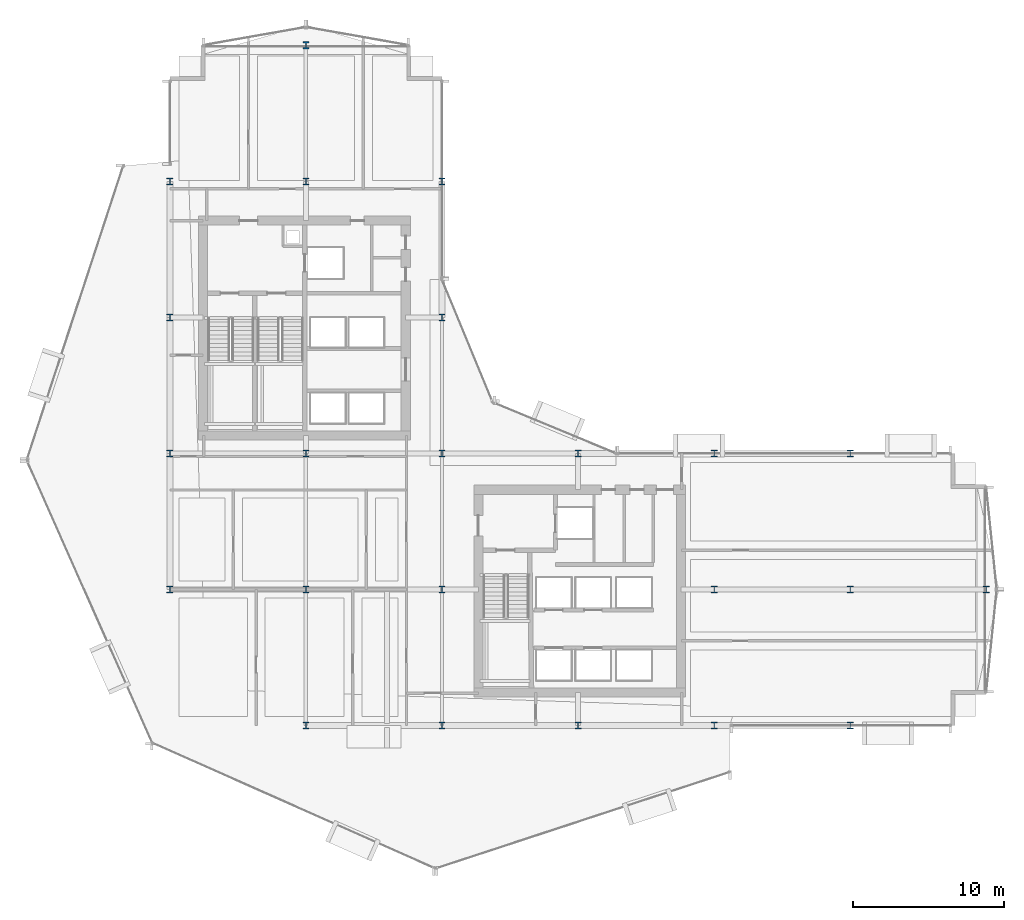
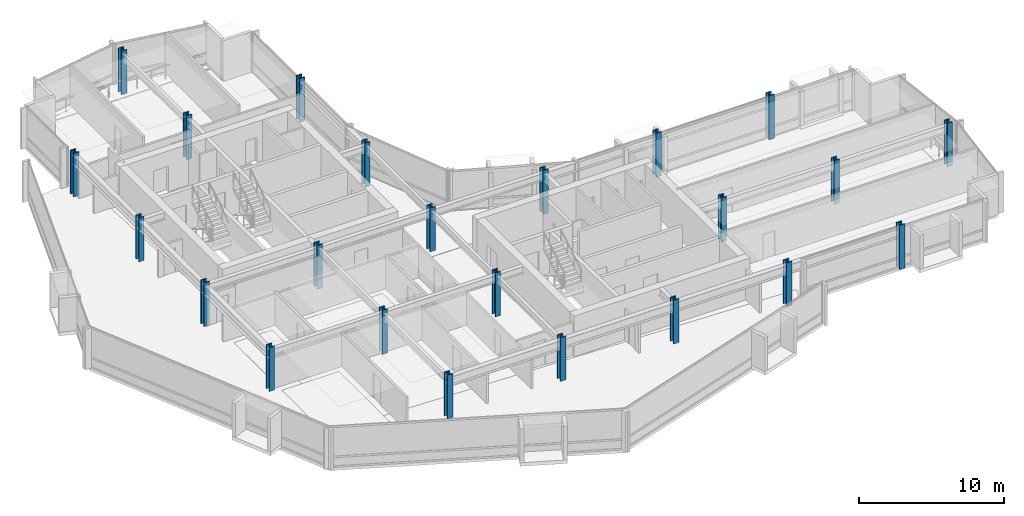
# One storey, part 1 of 34: 23 columns.
"""IFC4 building model written with IfcOpenShell, lengths in metres."""

from ifc_helpers import new_model, si_unit, direction, frame, origin, origin_2d, place, context, subcontext, project, spatial, i_section, extrude, material, material_profile, profile_set, type_object, element, save


model = new_model("IFC4")

# Units and contexts
model_context = context("Model", 3, precision=1e-05, world=origin(), true_north=direction((0.0, 1.0)))
body_context = subcontext(model_context, "Body", "Model", "MODEL_VIEW")
ifc_project = project(units=[si_unit("LENGTHUNIT", "METRE"), si_unit("AREAUNIT", "SQUARE_METRE"), si_unit("VOLUMEUNIT", "CUBIC_METRE"), si_unit("PLANEANGLEUNIT", "RADIAN"), si_unit("MASSUNIT", "GRAM", prefix="KILO")], contexts=[model_context])

# Site, building, storey
site_placement = place(None, origin())
site = spatial("IfcSite", under=ifc_project, at=site_placement, CompositionType="ELEMENT")
building_placement = place(site_placement, origin())
building = spatial("IfcBuilding", under=site, at=building_placement, Name="Solvaryn Broadcast Tower", CompositionType="ELEMENT")
storey_placement = place(building_placement, frame((0.0, 0.0, 76.699951171875)))
storey = spatial("IfcBuildingStorey", under=building, at=storey_placement, Name="L18", CompositionType="ELEMENT", Elevation=76.699951171875)

# Columns
ifc_material_1 = material(Name="Steel ASTM A913 Grade 65", Category="steel")
ifc_material_profile_1 = material_profile(ifc_material_1, i_section(OverallWidth=0.424072265625, OverallDepth=0.47412109375, WebThickness=0.047607421875, FlangeThickness=0.0771484375, FilletRadius=0.014892578125, at=origin_2d()))
ifc_profile_set_1 = profile_set([ifc_material_profile_1], Name="Steel ASTM A913 Grade 65")
column_type_1 = type_object("IfcColumnType", Name="COL-C04E-W14X426", PredefinedType="COLUMN", material=ifc_profile_set_1)
for number, where, z_axis, x_axis, name in (
    (1, (9.0, 18.0, 0.0), (0.0, 0.0, 1.0), (1.0, 0.0, 0.0), "L18 Column (9.0, 18.0)"),
    (2, (9.0, 27.0, 0.0), (0.0, 0.0, 1.0), (1.0, 0.0, 0.0), "L18 Column (9.0, 27.0)"),
    (3, (9.0, 36.0, 0.0), (0.0, 0.0, 1.0), (1.0, 0.0, 0.0), "L18 Column (9.0, 36.0)"),
    (4, (9.0, 45.0, 0.0), (0.0, 0.0, 1.0), (1.0, 0.0, 0.0), "L18 Column (9.0, 45.0)"),
    (5, (18.0, 9.0, 0.0), (0.0, 0.0, 1.0), (1.0, 0.0, 0.0), "L18 Column (18.0, 9.0)"),
    (6, (18.0, 54.0, 0.0), (0.0, 0.0, 1.0), (1.0, 0.0, 0.0), "L18 Column (18.0, 54.0)"),
    (7, (27.0, 9.0, 0.0), (0.0, 0.0, 1.0), (1.0, 0.0, 0.0), "L18 Column (27.0, 9.0)"),
    (8, (27.0, 36.0, 0.0), (0.0, 0.0, 1.0), (1.0, 0.0, 0.0), "L18 Column (27.0, 36.0)"),
    (9, (27.0, 45.0, 0.0), (0.0, 0.0, 1.0), (1.0, 0.0, 0.0), "L18 Column (27.0, 45.0)"),
    (10, (36.0, 9.0, 0.0), (0.0, 0.0, 1.0), (1.0, 0.0, 0.0), "L18 Column (36.0, 9.0)"),
    (11, (36.0, 27.0, 0.0), (0.0, 0.0, 1.0), (1.0, 0.0, 0.0), "L18 Column (36.0, 27.0)"),
    (12, (45.0, 9.0, 0.0), (0.0, 0.0, 1.0), (1.0, 0.0, 0.0), "L18 Column (45.0, 9.0)"),
    (13, (45.0, 27.0, 0.0), (0.0, 0.0, 1.0), (1.0, 0.0, 0.0), "L18 Column (45.0, 27.0)"),
    (14, (54.0, 9.0, 0.0), (0.0, 0.0, 1.0), (1.0, 0.0, 0.0), "L18 Column (54.0, 9.0)"),
    (15, (54.0, 27.0, 0.0), (0.0, 0.0, 1.0), (1.0, 0.0, 0.0), "L18 Column (54.0, 27.0)"),
    (16, (63.0, 18.0, 0.0), (0.0, 0.0, 1.0), (1.0, 0.0, 0.0), "L18 Column (63.0, 18.0)"),
):
    element("IfcColumn", number, at=place(storey_placement, frame(where, z_axis=z_axis, x_axis=x_axis)), inside=storey, type_object=column_type_1, Name=name, PredefinedType="COLUMN", context=body_context, shape_type="SweptSolid", body=[
        extrude(i_section(OverallWidth=0.424072265625, OverallDepth=0.47412109375, WebThickness=0.047607421875, FlangeThickness=0.0771484375, FilletRadius=0.014892578125, at=origin_2d()), origin(), (0.0, 0.0, 1.0), 3.699951171875),
    ])
ifc_material_2 = material(Name="Steel ASTM A913 Grade 65", Category="steel")
ifc_material_profile_2 = material_profile(ifc_material_2, i_section(OverallWidth=0.424072265625, OverallDepth=0.47412109375, WebThickness=0.047607421875, FlangeThickness=0.0771484375, FilletRadius=0.014892578125, at=origin_2d()))
ifc_profile_set_2 = profile_set([ifc_material_profile_2], Name="Steel ASTM A913 Grade 65")
column_type_2 = type_object("IfcColumnType", Name="COL-C04I-W14X426", PredefinedType="COLUMN", material=ifc_profile_set_2)
for number, where, z_axis, x_axis, name in (
    (17, (18.0, 18.0, 0.0), (0.0, 0.0, 1.0), (1.0, 0.0, 0.0), "L18 Column (18.0, 18.0)"),
    (18, (18.0, 27.0, 0.0), (0.0, 0.0, 1.0), (1.0, 0.0, 0.0), "L18 Column (18.0, 27.0)"),
    (19, (18.0, 45.0, 0.0), (0.0, 0.0, 1.0), (1.0, 0.0, 0.0), "L18 Column (18.0, 45.0)"),
    (20, (27.0, 18.0, 0.0), (0.0, 0.0, 1.0), (1.0, 0.0, 0.0), "L18 Column (27.0, 18.0)"),
    (21, (27.0, 27.0, 0.0), (0.0, 0.0, 1.0), (1.0, 0.0, 0.0), "L18 Column (27.0, 27.0)"),
    (22, (45.0, 18.0, 0.0), (0.0, 0.0, 1.0), (1.0, 0.0, 0.0), "L18 Column (45.0, 18.0)"),
    (23, (54.0, 18.0, 0.0), (0.0, 0.0, 1.0), (1.0, 0.0, 0.0), "L18 Column (54.0, 18.0)"),
):
    element("IfcColumn", number, at=place(storey_placement, frame(where, z_axis=z_axis, x_axis=x_axis)), inside=storey, type_object=column_type_2, Name=name, PredefinedType="COLUMN", context=body_context, shape_type="SweptSolid", body=[
        extrude(i_section(OverallWidth=0.424072265625, OverallDepth=0.47412109375, WebThickness=0.047607421875, FlangeThickness=0.0771484375, FilletRadius=0.014892578125, at=origin_2d()), origin(), (0.0, 0.0, 1.0), 3.699951171875),
    ])

save(model, "model.ifc")
